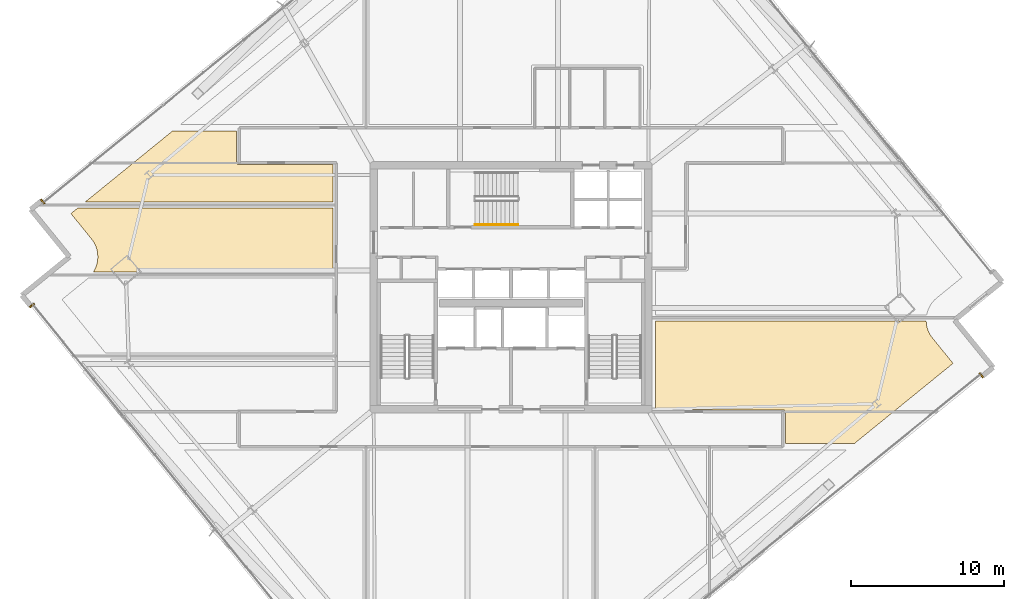
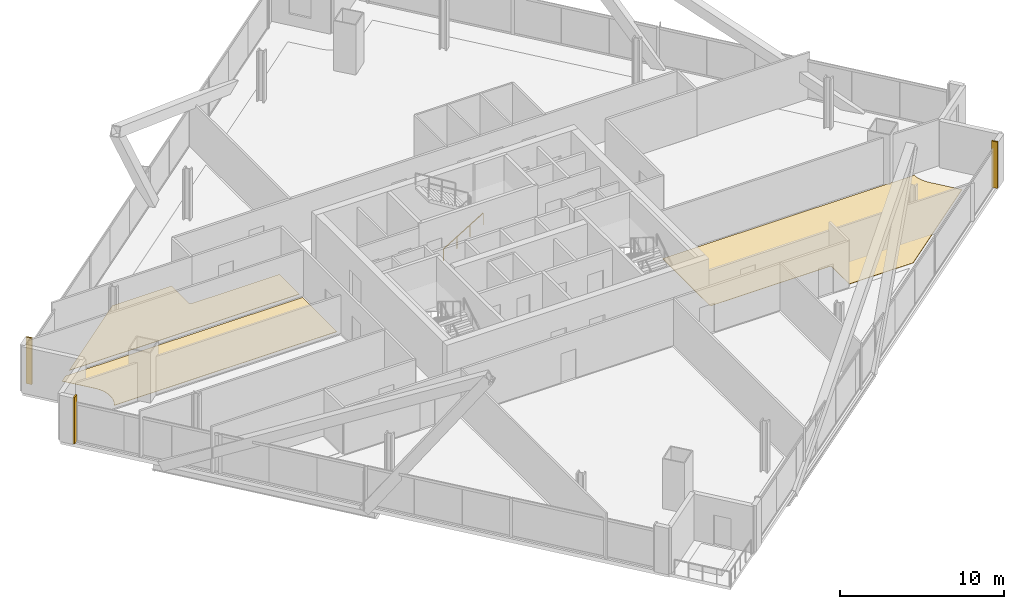
# One storey, part 34 of 36: 6 coverings, 1 railing.
"""IFC4 building model written with IfcOpenShell, lengths in metres."""

from ifc_helpers import new_model, si_unit, direction, frame, origin, origin_2d, place, context, subcontext, project, spatial, polyline, rectangle, outline, extrude, source, transform, mapped, material, layer, layer_set, type_object, element, save


model = new_model("IFC4")

# Units and contexts
model_context = context("Model", 3, precision=1e-05, world=origin(), true_north=direction((0.0, 1.0)))
body_context = subcontext(model_context, "Body", "Model", "MODEL_VIEW")
ifc_project = project(units=[si_unit("LENGTHUNIT", "METRE"), si_unit("AREAUNIT", "SQUARE_METRE"), si_unit("VOLUMEUNIT", "CUBIC_METRE"), si_unit("PLANEANGLEUNIT", "RADIAN"), si_unit("MASSUNIT", "GRAM", prefix="KILO")], contexts=[model_context])

# Site, building, storey
site_placement = place(None, origin())
site = spatial("IfcSite", under=ifc_project, at=site_placement, CompositionType="ELEMENT")
building_placement = place(site_placement, origin())
building = spatial("IfcBuilding", under=site, at=building_placement, Name="Haldenkirk Collegiate Tower", CompositionType="ELEMENT")
storey_placement = place(building_placement, frame((0.0, 0.0, 159.449951171875)))
storey = spatial("IfcBuildingStorey", under=building, at=storey_placement, Name="L39", CompositionType="ELEMENT", Elevation=159.449951171875)

# Coverings
ifc_material_1 = material(Name="Polished collegiate terrazzo", Category="concrete")
ifc_layer_1 = layer(ifc_material_1, 0.02490234375)
ifc_layer_set_1 = layer_set([ifc_layer_1], Name="Polished collegiate terrazzo")
covering_type_1 = type_object("IfcCoveringType", Name="COV-FLOOR-TERRAZZO", PredefinedType="FLOORING", material=ifc_layer_set_1)
covering_1_placement = place(storey_placement, origin())
element("IfcCovering", 1, at=covering_1_placement, inside=storey, type_object=covering_type_1, Name="L39 academic room finish 10", PredefinedType="FLOORING", context=body_context, shape_type="SweptSolid", body=[
    extrude(outline(polyline([(13.84033203125, 36.25), (18.030029296875, 36.25), (18.030029296875, 34.14990234375), (18.030517578125, 34.13818359375), (18.0322265625, 34.126708984375), (18.03515625, 34.115234375), (18.0390625, 34.10400390625), (18.044189453125, 34.093505859375), (18.05029296875, 34.083251953125), (18.05712890625, 34.073974609375), (18.065185546875, 34.065185546875), (18.073974609375, 34.05712890625), (18.083251953125, 34.05029296875), (18.093505859375, 34.044189453125), (18.10400390625, 34.0390625), (18.115234375, 34.03515625), (18.126708984375, 34.0322265625), (18.13818359375, 34.030517578125), (18.14990234375, 34.030029296875), (24.35009765625, 34.030029296875), (24.35009765625, 31.60009765625), (8.118408203125, 31.60009765625), (13.84033203125, 36.25)])), origin(), (0.0, 0.0, 1.0), 0.025146484375),
])
ifc_material_2 = material(Name="Engineered collegiate oak acoustic flooring", Category="wood")
ifc_layer_2 = layer(ifc_material_2, 0.02197265625)
ifc_layer_set_2 = layer_set([ifc_layer_2], Name="Engineered collegiate oak acoustic flooring")
covering_type_2 = type_object("IfcCoveringType", Name="COV-FLOOR-TIMBER", PredefinedType="FLOORING", material=ifc_layer_set_2)
covering_2_placement = place(storey_placement, origin())
element("IfcCovering", 2, at=covering_2_placement, inside=storey, type_object=covering_type_2, Name="L39 academic room finish 09", PredefinedType="FLOORING", context=body_context, shape_type="SweptSolid", body=[
    extrude(outline(polyline([(8.641357421875, 27.0), (8.702392578125, 27.100830078125), (8.7080078125, 27.111083984375), (8.7822265625, 27.26611328125), (8.786865234375, 27.277099609375), (8.845458984375, 27.4384765625), (8.848876953125, 27.44970703125), (8.891357421875, 27.6162109375), (8.893798828125, 27.627685546875), (8.919677734375, 27.79736328125), (8.9208984375, 27.80908203125), (8.93017578125, 27.98046875), (8.930419921875, 27.9921875), (8.922607421875, 28.163818359375), (8.921630859375, 28.175537109375), (8.897216796875, 28.345703125), (8.89501953125, 28.357177734375), (8.85400390625, 28.52392578125), (8.8505859375, 28.53515625), (8.793701171875, 28.697265625), (8.7890625, 28.7080078125), (8.71630859375, 28.86376953125), (8.7109375, 28.8740234375), (8.623291015625, 29.021728515625), (8.616943359375, 29.031494140625), (8.515380859375, 29.170166015625), (8.51171875, 29.1748046875), (7.168212890625, 30.827880859375), (7.626220703125, 31.199951171875), (24.35009765625, 31.199951171875), (24.35009765625, 27.0), (8.641357421875, 27.0)])), origin(), (0.0, 0.0, 1.0), 0.02197265625),
])
covering_3_placement = place(storey_placement, origin())
element("IfcCovering", 3, at=covering_3_placement, inside=storey, type_object=covering_type_2, Name="L39 academic room finish 11", PredefinedType="FLOORING", context=body_context, shape_type="SweptSolid", body=[
    extrude(outline(polyline([(63.197998046875, 23.800048828125), (63.203369140625, 23.680908203125), (63.20458984375, 23.669189453125), (63.22900390625, 23.499267578125), (63.231201171875, 23.487548828125), (63.272216796875, 23.32080078125), (63.275390625, 23.3095703125), (63.33251953125, 23.147705078125), (63.3369140625, 23.13671875), (63.40966796875, 22.981201171875), (63.415283203125, 22.970703125), (63.502685546875, 22.822998046875), (63.50927734375, 22.813232421875), (63.61083984375, 22.6748046875), (63.614501953125, 22.669921875), (64.957763671875, 21.01708984375), (58.476806640625, 15.75), (53.969970703125, 15.75), (53.969970703125, 17.85009765625), (53.969482421875, 17.86181640625), (53.9677734375, 17.873291015625), (53.96484375, 17.884765625), (53.9609375, 17.89599609375), (53.955810546875, 17.906494140625), (53.94970703125, 17.916748046875), (53.94287109375, 17.926025390625), (53.934814453125, 17.934814453125), (53.926025390625, 17.94287109375), (53.916748046875, 17.94970703125), (53.906494140625, 17.955810546875), (53.89599609375, 17.9609375), (53.884765625, 17.96484375), (53.873291015625, 17.9677734375), (53.86181640625, 17.969482421875), (53.85009765625, 17.969970703125), (45.449951171875, 17.969970703125), (45.449951171875, 23.800048828125), (63.197998046875, 23.800048828125)])), origin(), (0.0, 0.0, 1.0), 0.02197265625),
])

# Railing
ifc_material_3 = material(Name="Painted architectural tubular steel", Category="steel")
railing_type = type_object("IfcRailingType", Name="RLG-STAIR-HANDRAIL-900", PredefinedType="HANDRAIL", material=ifc_material_3)
railing_placement = place(storey_placement, frame((33.64990234375, 30.10009765625, 0.17041015625)))
element("IfcRailing", 4, at=railing_placement, inside=storey, type_object=railing_type, Name="L39 ST-3 stair handrail 1", PredefinedType="HANDRAIL", context=body_context, shape_type="SweptSolid", body=[
    extrude(rectangle(XDim=0.048095703125, YDim=0.048095703125, at=origin_2d()), frame((0.0, 0.0, 0.8759765625), z_axis=(0.854169791009, 0.0, 0.51999420009), x_axis=(0.0, 1.0, 0.0)), (0.0, 0.0, 1.0), 3.278076171875),
    extrude(rectangle(XDim=0.0419921875, YDim=0.0419921875, at=origin_2d()), origin(), (0.0, 0.0, 1.0), 0.851806640625),
    extrude(rectangle(XDim=0.0419921875, YDim=0.0419921875, at=origin_2d()), frame((0.933349609375, 0.0, 0.568115234375)), (0.0, 0.0, 1.0), 0.851806640625),
    extrude(rectangle(XDim=0.0419921875, YDim=0.0419921875, at=origin_2d()), frame((1.86669921875, 0.0, 1.136474609375)), (0.0, 0.0, 1.0), 0.851806640625),
    extrude(rectangle(XDim=0.0419921875, YDim=0.0419921875, at=origin_2d()), frame((2.800048828125, 0.0, 1.70458984375)), (0.0, 0.0, 1.0), 0.851806640625),
])

# Coverings
ifc_material_4 = material(Name="Anodised architectural bronze aluminium", Category="aluminium")
ifc_layer_3 = layer(ifc_material_4, 0.06005859375)
ifc_layer_set_3 = layer_set([ifc_layer_3], Name="Anodised architectural bronze aluminium")
covering_type_3 = type_object("IfcCoveringType", Name="COV-CLAD-BRONZE-60", PredefinedType="CLADDING", material=ifc_layer_set_3)
shared_shape = source(origin(), body_context, "Body", "SweptSolid", [
    extrude(rectangle(XDim=0.10009765625, YDim=0.3798828125, at=origin_2d()), origin(), (0.0, 0.0, 1.0), 3.4599609375),
])
for number, where, z_axis, x_axis, name in (
    (5, (66.81005859375, 20.228515625, 0.0), (0.0, 0.0, 1.0), (-0.776046407067, -0.630675807431, 0.0), "L39 recessed curtain-wall bronze jamb closure SJL"),
    (6, (5.316162109375, 31.6162109375, 0.0), (0.0, 0.0, 1.0), (0.776046407067, 0.630675807431, 0.0), "L39 recessed curtain-wall bronze jamb closure NJL"),
    (7, (4.612548828125, 24.807861328125, 0.0), (0.0, 0.0, 1.0), (-0.630675807431, 0.776046407067, 0.0), "L39 recessed curtain-wall bronze jamb closure WJR"),
):
    element("IfcCovering", number, at=place(storey_placement, frame(where, z_axis=z_axis, x_axis=x_axis)), inside=storey, type_object=covering_type_3, Name=name, PredefinedType="CLADDING", context=body_context, shape_type="MappedRepresentation", body=[
        mapped(shared_shape, transform((0.0, 0.0, 0.0), x_axis=(1.0, 0.0, 0.0), y_axis=(0.0, 1.0, 0.0), z_axis=(0.0, 0.0, 1.0), scale=1.0)),
    ])

save(model, "model.ifc")
